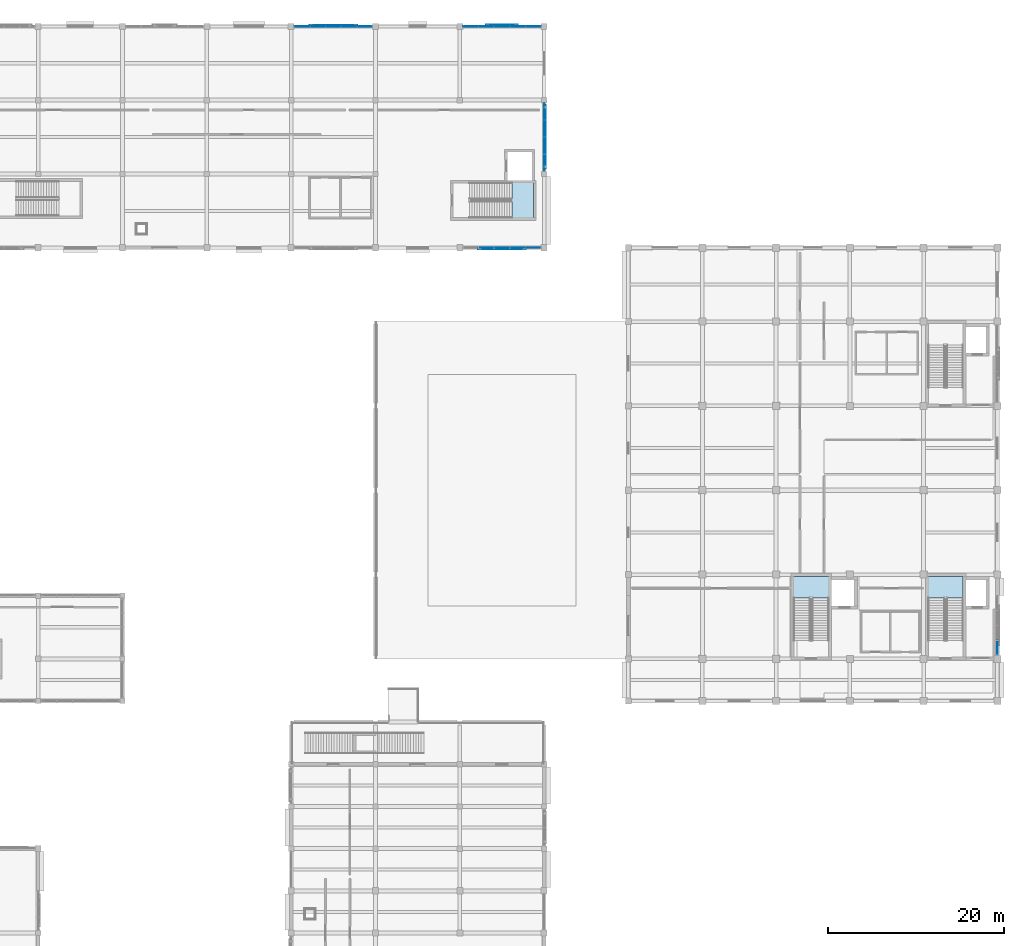
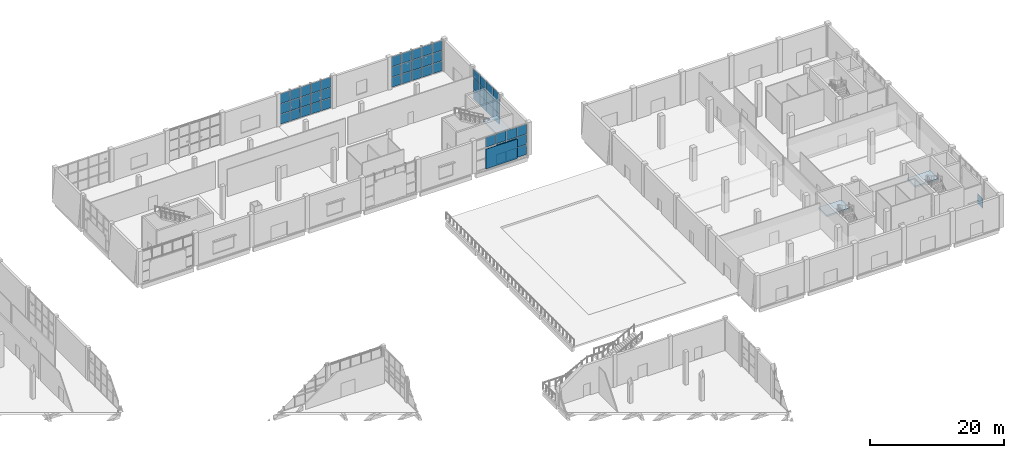
# One storey, part 50 of 84: 57 plates, 3 slabs, 8 elements without a shape of their own.
"""IFC4 building model written with IfcOpenShell, lengths in metres."""

import ifcopenshell
import ifcopenshell.guid

model = None  # the IFC model being written
_history = None  # IfcOwnerHistory: only IFC2X3 demands one
_inside = {}  # id of a spatial element -> (the spatial element, [elements in it])
_under = {}  # id of a project, library or spatial element -> (it, [spatial elements below it])
_declared = {}  # id of a project -> (the project, [libraries it declares])
_typed = {}  # id of a type object -> (the type object, [elements of that type])
_made_of = {}  # id of a material, layer set ... -> (it, [elements and type objects made of it])


def new_model(schema):
    """Start an empty IFC model of exactly this schema.

    Asked for "IFC4X3", IfcOpenShell would pick the latest addendum, in which some entities
    have other attributes; the version numbers below select the first issue.
    IFC2X3 requires an IfcOwnerHistory on every rooted entity: one is made here for all.
    """
    global model, _history
    if schema == "IFC4X3":
        model = ifcopenshell.file(schema_version=(4, 3, 0, 0))
    else:
        model = ifcopenshell.file(schema=schema)
    _inside.clear()
    _under.clear()
    _declared.clear()
    _typed.clear()
    _made_of.clear()
    _history = None
    if model.schema == "IFC2X3":
        org = make("IfcOrganization", Name="unknown")
        user = make(
            "IfcPersonAndOrganization",
            ThePerson=make("IfcPerson", FamilyName="unknown"),
            TheOrganization=org,
        )
        app = make(
            "IfcApplication",
            ApplicationDeveloper=org,
            Version="unknown",
            ApplicationFullName="unknown",
            ApplicationIdentifier="unknown",
        )
        _history = make(
            "IfcOwnerHistory",
            OwningUser=user,
            OwningApplication=app,
            ChangeAction="ADDED",
            CreationDate=0,
        )
    return model


def make(cls, **values):
    """One entity of the class cls with the attributes given. An attribute that is None is left unset."""
    return model.create_entity(
        cls, **{name: value for name, value in values.items() if value is not None}
    )


def rooted(cls, **values):
    """An entity with a GlobalId (a new one), such as an element, a storey or a relation."""
    return make(cls, GlobalId=ifcopenshell.guid.new(), OwnerHistory=_history, **values)


def si_unit(unit_type, name, prefix=None):
    """IfcSIUnit, for example si_unit("LENGTHUNIT", "METRE", prefix="MILLI")."""
    return make("IfcSIUnit", UnitType=unit_type, Prefix=prefix, Name=name)


def assignment(units):
    """IfcUnitAssignment: the units of a project."""
    return None if units is None else make("IfcUnitAssignment", Units=units)


def point(xyz):
    """IfcCartesianPoint."""
    return None if xyz is None else make("IfcCartesianPoint", Coordinates=xyz)


def direction(xyz):
    """IfcDirection."""
    return None if xyz is None else make("IfcDirection", DirectionRatios=xyz)


def frame(location, z_axis=None, x_axis=None):
    """IfcAxis2Placement3D, a coordinate frame: its origin and axes. An axis left out is left unset."""
    return make(
        "IfcAxis2Placement3D",
        Location=point(location),
        Axis=direction(z_axis),
        RefDirection=direction(x_axis),
    )


def frame_2d(location, x_axis=None):
    """IfcAxis2Placement2D, a coordinate frame in the plane: its origin and x axis."""
    return make(
        "IfcAxis2Placement2D", Location=point(location), RefDirection=direction(x_axis)
    )


def origin():
    """The frame at (0, 0, 0) with its axes left unset."""
    return frame((0.0, 0.0, 0.0))


def origin_2d():
    """The frame at (0, 0) in the plane with its x axis left unset."""
    return frame_2d((0.0, 0.0))


def place(relative_to, where):
    """IfcLocalPlacement: puts the frame where relative to a parent placement (None: the world)."""
    return make(
        "IfcLocalPlacement", PlacementRelTo=relative_to, RelativePlacement=where
    )


def context(
    kind, dimensions, precision=None, world=None, true_north=None, identifier=None
):
    """IfcGeometricRepresentationContext, for example the 3D "Model" context."""
    return make(
        "IfcGeometricRepresentationContext",
        ContextIdentifier=identifier,
        ContextType=kind,
        CoordinateSpaceDimension=dimensions,
        Precision=precision,
        WorldCoordinateSystem=world,
        TrueNorth=true_north,
    )


def subcontext(parent, identifier, kind, view, scale=None):
    """IfcGeometricRepresentationSubContext, for example "Body" below "Model"."""
    return make(
        "IfcGeometricRepresentationSubContext",
        ContextIdentifier=identifier,
        ContextType=kind,
        ParentContext=parent,
        TargetScale=scale,
        TargetView=view,
    )


def project(units=None, contexts=None):
    """IfcProject with its units and contexts."""
    return rooted(
        "IfcProject",
        Name="project",
        RepresentationContexts=contexts,
        UnitsInContext=assignment(units),
    )


def spatial(cls, under=None, at=None, **own):
    """A site, building, storey or space (cls), placed at a placement, below another one or the project."""
    s = rooted(cls, ObjectPlacement=at, **own)
    if under is not None:
        _under.setdefault(under.id(), (under, []))[1].append(s)
    return s


def polyline(points):
    """IfcPolyline through the points."""
    return make("IfcPolyline", Points=[point(p) for p in points])


def profile(cls, at=None, kind="AREA", **sizes):
    """A parametric profile (cls). Its sizes go by their IFC names, for example OverallWidth=200.0."""
    return make(cls, ProfileType=kind, Position=at, **sizes)


def rectangle(**sizes):
    """IfcRectangleProfileDef."""
    return profile("IfcRectangleProfileDef", **sizes)


def outline(outer, holes=None, kind="AREA"):
    """IfcArbitraryClosedProfileDef: a profile drawn as a closed curve; with holes, ...WithVoids."""
    if holes is None:
        return make("IfcArbitraryClosedProfileDef", ProfileType=kind, OuterCurve=outer)
    return make(
        "IfcArbitraryProfileDefWithVoids",
        ProfileType=kind,
        OuterCurve=outer,
        InnerCurves=holes,
    )


def extrude(swept, where, along, depth):
    """IfcExtrudedAreaSolid: the profile swept, set in the frame where, extruded along a direction by depth."""
    return make(
        "IfcExtrudedAreaSolid",
        SweptArea=swept,
        Position=where,
        ExtrudedDirection=direction(along),
        Depth=depth,
    )


def shape(context_of_items, identifier, shape_type, items):
    """IfcShapeRepresentation: the items that make up one representation, for example the "Body"."""
    return make(
        "IfcShapeRepresentation",
        ContextOfItems=context_of_items,
        RepresentationIdentifier=identifier,
        RepresentationType=shape_type,
        Items=items,
    )


def material(Name=None, Category=None):
    """IfcMaterial."""
    return make("IfcMaterial", Name=Name, Category=Category)


def layer(
    of_material, thickness, ventilated=None, Name=None, Category=None, Priority=None
):
    """IfcMaterialLayer: one layer of a wall or slab, of a material (None: an air gap)."""
    return make(
        "IfcMaterialLayer",
        Material=of_material,
        LayerThickness=thickness,
        IsVentilated=ventilated,
        Name=Name,
        Category=Category,
        Priority=Priority,
    )


def layer_set(layers, Name=None):
    """IfcMaterialLayerSet."""
    return make("IfcMaterialLayerSet", MaterialLayers=layers, LayerSetName=Name)


def made_of(thing, what):
    """Note that an element or type object is made of a material, layer set ...; save() writes the relation."""
    if what is not None:
        _made_of.setdefault(what.id(), (what, []))[1].append(thing)
    return thing


def type_object(cls, material=None, **own):
    """A type object (cls), such as IfcWallType, which elements share."""
    return made_of(rooted(cls, **own), material)


def element(
    cls,
    number,
    at=None,
    inside=None,
    cuts=None,
    type_object=None,
    material=None,
    context=None,
    identifier="Body",
    shape_type=None,
    held_by="IfcProductDefinitionShape",
    body=None,
    shapes=None,
    **own,
):
    """One element of the class cls, such as IfcWall. Its Tag is "e" and its number.

    at: its placement. inside: the storey or other place that contains it. cuts: it is an
    opening in that element (IfcRelVoidsElement). A single representation is given by context,
    identifier, shape_type and body (its items); several are given by shapes. held_by: the class
    of the entity that holds the representations. save() writes the other relations.
    """
    e = rooted(cls, Tag="e%d" % number, ObjectPlacement=at, **own)
    if body is not None:
        shapes = [shape(context, identifier, shape_type, body)]
    if shapes is not None:
        e.Representation = make(held_by, Representations=shapes)
    if inside is not None:
        _inside.setdefault(inside.id(), (inside, []))[1].append(e)
    if cuts is not None:
        rooted(
            "IfcRelVoidsElement", RelatingBuildingElement=cuts, RelatedOpeningElement=e
        )
    if type_object is not None:
        _typed.setdefault(type_object.id(), (type_object, []))[1].append(e)
    return made_of(e, material)


def aggregate(whole, parts):
    """IfcRelAggregates: a whole, such as a stair, and the parts it consists of."""
    return rooted("IfcRelAggregates", RelatingObject=whole, RelatedObjects=parts)


def save(model, path):
    """Write the relations noted so far, then the file.

    IfcRelAggregates (storeys below a building ...), IfcRelContainedInSpatialStructure (elements
    in a storey), IfcRelDefinesByType, IfcRelAssociatesMaterial and IfcRelDeclares: one each for
    every whole, place, type object, material and project.
    """
    for whole, parts in _under.values():
        aggregate(whole, parts)
    for where, things in _inside.values():
        rooted(
            "IfcRelContainedInSpatialStructure",
            RelatedElements=things,
            RelatingStructure=where,
        )
    for kind, things in _typed.values():
        rooted("IfcRelDefinesByType", RelatedObjects=things, RelatingType=kind)
    for what, things in _made_of.values():
        rooted("IfcRelAssociatesMaterial", RelatedObjects=things, RelatingMaterial=what)
    for by, libraries in _declared.values():
        rooted("IfcRelDeclares", RelatingContext=by, RelatedDefinitions=libraries)
    model.write(path)


model = new_model("IFC4")

# Units and contexts
model_context = context("Model", 3, precision=1e-05, world=origin(), true_north=direction((0.0, 1.0)))
body_context = subcontext(model_context, "Body", "Model", "MODEL_VIEW")
ifc_project = project(units=[si_unit("LENGTHUNIT", "METRE"), si_unit("AREAUNIT", "SQUARE_METRE"), si_unit("VOLUMEUNIT", "CUBIC_METRE"), si_unit("PLANEANGLEUNIT", "RADIAN"), si_unit("MASSUNIT", "GRAM", prefix="KILO")], contexts=[model_context])

# Site, building, storey
site_placement = place(None, origin())
site = spatial("IfcSite", under=ifc_project, at=site_placement, CompositionType="ELEMENT")
building_placement = place(site_placement, origin())
building = spatial("IfcBuilding", under=site, at=building_placement, Name="Shalvenor Court Art Gallery", CompositionType="ELEMENT")
storey_placement = place(building_placement, origin())
storey = spatial("IfcBuildingStorey", under=building, at=storey_placement, Name="L00", CompositionType="ELEMENT", Elevation=0.0)

# Curtain wall, plate
ifc_material_1 = material(Name="Anodised aluminium and low-iron glass curtain wall", Category="aluminium")
curtain_wall_type_1 = type_object("IfcCurtainWallType", Name="CW-4x3-68-57-442", PredefinedType="USERDEFINED", material=ifc_material_1)
curtain_wall_1_placement = place(storey_placement, origin())
curtain_wall_1 = element("IfcCurtainWall", 1, at=curtain_wall_1_placement, inside=storey, type_object=curtain_wall_type_1, Name="L00 V1 Curtain Wall CW-L00-002", ObjectType="CURTAIN WALL", PredefinedType="USERDEFINED")
ifc_material_2 = material(Name="Low-iron triple-silver solar gallery glazing IGU", Category="glass")
ifc_layer_1 = layer(ifc_material_2, 0.031982421875, Name="Low-iron triple-silver solar gallery glazing IGU")
ifc_layer_set_1 = layer_set([ifc_layer_1], Name="Low-iron triple-silver solar gallery glazing IGU")
plate_type_1 = type_object("IfcPlateType", Name="CWP-02", PredefinedType="CURTAIN_PANEL", material=ifc_layer_set_1)
plate_1_placement = place(storey_placement, frame((176.39990234375, 51.668701171875, 0.06982421875), z_axis=(0.0, 0.0, 1.0), x_axis=(0.0, -1.0, 0.0)))
plate_1 = element("IfcPlate", 2, at=plate_1_placement, type_object=plate_type_1, Name="CW-4x3-68-57-442 panel 4.1", PredefinedType="CURTAIN_PANEL", context=body_context, shape_type="SweptSolid", body=[
    extrude(rectangle(XDim=1.58740234375, YDim=0.031982421875, at=origin_2d()), origin(), (0.0, 0.0, 1.0), 1.788330078125),
])
aggregate(curtain_wall_1, [plate_1])

# Curtain wall, plates
ifc_material_3 = material(Name="Anodised aluminium and low-iron glass curtain wall", Category="aluminium")
curtain_wall_type_2 = type_object("IfcCurtainWallType", Name="CW-5x3-89-57-622", PredefinedType="USERDEFINED", material=ifc_material_3)
curtain_wall_2_placement = place(storey_placement, origin())
curtain_wall_2 = element("IfcCurtainWall", 3, at=curtain_wall_2_placement, inside=storey, type_object=curtain_wall_type_2, Name="L00 V2 Curtain Wall CW-L00-055", ObjectType="CURTAIN WALL", PredefinedType="USERDEFINED")
plate_2_placement = place(storey_placement, frame((97.253662109375, 122.39990234375, 0.06494140625), z_axis=(0.0, 0.0, 1.0), x_axis=(1.0, 0.0, 0.0)))
plate_2 = element("IfcPlate", 4, at=plate_2_placement, type_object=plate_type_1, Name="CW-5x3-89-57-622 panel 1.1", PredefinedType="CURTAIN_PANEL", context=body_context, shape_type="SweptSolid", body=[
    extrude(rectangle(XDim=1.697509765625, YDim=0.031982421875, at=origin_2d()), origin(), (0.0, 0.0, 1.0), 1.7958984375),
])
plate_3_placement = place(storey_placement, frame((97.253662109375, 122.39990234375, 1.92578125), z_axis=(0.0, 0.0, 1.0), x_axis=(1.0, 0.0, 0.0)))
plate_3 = element("IfcPlate", 5, at=plate_3_placement, type_object=plate_type_1, Name="CW-5x3-89-57-622 panel 1.2", PredefinedType="CURTAIN_PANEL", context=body_context, shape_type="SweptSolid", body=[
    extrude(rectangle(XDim=1.697509765625, YDim=0.031982421875, at=origin_2d()), origin(), (0.0, 0.0, 1.0), 1.828369140625),
])
plate_4_placement = place(storey_placement, frame((97.253662109375, 122.39990234375, 3.819091796875), z_axis=(0.0, 0.0, 1.0), x_axis=(1.0, 0.0, 0.0)))
plate_4 = element("IfcPlate", 6, at=plate_4_placement, type_object=plate_type_1, Name="CW-5x3-89-57-622 panel 1.3", PredefinedType="CURTAIN_PANEL", context=body_context, shape_type="SweptSolid", body=[
    extrude(rectangle(XDim=1.697509765625, YDim=0.031982421875, at=origin_2d()), origin(), (0.0, 0.0, 1.0), 1.7958984375),
])
plate_5_placement = place(storey_placement, frame((99.02001953125, 122.39990234375, 0.06494140625), z_axis=(0.0, 0.0, 1.0), x_axis=(1.0, 0.0, 0.0)))
plate_5 = element("IfcPlate", 7, at=plate_5_placement, type_object=plate_type_1, Name="CW-5x3-89-57-622 panel 2.1", PredefinedType="CURTAIN_PANEL", context=body_context, shape_type="SweptSolid", body=[
    extrude(rectangle(XDim=1.72509765625, YDim=0.031982421875, at=origin_2d()), origin(), (0.0, 0.0, 1.0), 1.7958984375),
])
plate_6_placement = place(storey_placement, frame((99.02001953125, 122.39990234375, 1.92578125), z_axis=(0.0, 0.0, 1.0), x_axis=(1.0, 0.0, 0.0)))
plate_6 = element("IfcPlate", 8, at=plate_6_placement, type_object=plate_type_1, Name="CW-5x3-89-57-622 panel 2.2", PredefinedType="CURTAIN_PANEL", context=body_context, shape_type="SweptSolid", body=[
    extrude(rectangle(XDim=1.72509765625, YDim=0.031982421875, at=origin_2d()), origin(), (0.0, 0.0, 1.0), 1.828369140625),
])
plate_7_placement = place(storey_placement, frame((99.02001953125, 122.39990234375, 3.819091796875), z_axis=(0.0, 0.0, 1.0), x_axis=(1.0, 0.0, 0.0)))
plate_7 = element("IfcPlate", 9, at=plate_7_placement, type_object=plate_type_1, Name="CW-5x3-89-57-622 panel 2.3", PredefinedType="CURTAIN_PANEL", context=body_context, shape_type="SweptSolid", body=[
    extrude(rectangle(XDim=1.72509765625, YDim=0.031982421875, at=origin_2d()), origin(), (0.0, 0.0, 1.0), 1.7958984375),
])
plate_8_placement = place(storey_placement, frame((100.800048828125, 122.39990234375, 0.06494140625), z_axis=(0.0, 0.0, 1.0), x_axis=(1.0, 0.0, 0.0)))
plate_8 = element("IfcPlate", 10, at=plate_8_placement, type_object=plate_type_1, Name="CW-5x3-89-57-622 panel 3.1", PredefinedType="CURTAIN_PANEL", context=body_context, shape_type="SweptSolid", body=[
    extrude(rectangle(XDim=1.72509765625, YDim=0.031982421875, at=origin_2d()), origin(), (0.0, 0.0, 1.0), 1.7958984375),
])
plate_9_placement = place(storey_placement, frame((100.800048828125, 122.39990234375, 1.92578125), z_axis=(0.0, 0.0, 1.0), x_axis=(1.0, 0.0, 0.0)))
plate_9 = element("IfcPlate", 11, at=plate_9_placement, type_object=plate_type_1, Name="CW-5x3-89-57-622 panel 3.2", PredefinedType="CURTAIN_PANEL", context=body_context, shape_type="SweptSolid", body=[
    extrude(rectangle(XDim=1.72509765625, YDim=0.031982421875, at=origin_2d()), origin(), (0.0, 0.0, 1.0), 1.828369140625),
])
plate_10_placement = place(storey_placement, frame((100.800048828125, 122.39990234375, 3.819091796875), z_axis=(0.0, 0.0, 1.0), x_axis=(1.0, 0.0, 0.0)))
plate_10 = element("IfcPlate", 12, at=plate_10_placement, type_object=plate_type_1, Name="CW-5x3-89-57-622 panel 3.3", PredefinedType="CURTAIN_PANEL", context=body_context, shape_type="SweptSolid", body=[
    extrude(rectangle(XDim=1.72509765625, YDim=0.031982421875, at=origin_2d()), origin(), (0.0, 0.0, 1.0), 1.7958984375),
])
plate_11_placement = place(storey_placement, frame((102.580078125, 122.39990234375, 0.06494140625), z_axis=(0.0, 0.0, 1.0), x_axis=(1.0, 0.0, 0.0)))
plate_11 = element("IfcPlate", 13, at=plate_11_placement, type_object=plate_type_1, Name="CW-5x3-89-57-622 panel 4.1", PredefinedType="CURTAIN_PANEL", context=body_context, shape_type="SweptSolid", body=[
    extrude(rectangle(XDim=1.72509765625, YDim=0.031982421875, at=origin_2d()), origin(), (0.0, 0.0, 1.0), 1.7958984375),
])
plate_12_placement = place(storey_placement, frame((102.580078125, 122.39990234375, 1.92578125), z_axis=(0.0, 0.0, 1.0), x_axis=(1.0, 0.0, 0.0)))
plate_12 = element("IfcPlate", 14, at=plate_12_placement, type_object=plate_type_1, Name="CW-5x3-89-57-622 panel 4.2", PredefinedType="CURTAIN_PANEL", context=body_context, shape_type="SweptSolid", body=[
    extrude(rectangle(XDim=1.72509765625, YDim=0.031982421875, at=origin_2d()), origin(), (0.0, 0.0, 1.0), 1.828369140625),
])
plate_13_placement = place(storey_placement, frame((102.580078125, 122.39990234375, 3.819091796875), z_axis=(0.0, 0.0, 1.0), x_axis=(1.0, 0.0, 0.0)))
plate_13 = element("IfcPlate", 15, at=plate_13_placement, type_object=plate_type_1, Name="CW-5x3-89-57-622 panel 4.3", PredefinedType="CURTAIN_PANEL", context=body_context, shape_type="SweptSolid", body=[
    extrude(rectangle(XDim=1.72509765625, YDim=0.031982421875, at=origin_2d()), origin(), (0.0, 0.0, 1.0), 1.7958984375),
])
plate_14_placement = place(storey_placement, frame((104.34619140625, 122.39990234375, 0.06494140625), z_axis=(0.0, 0.0, 1.0), x_axis=(1.0, 0.0, 0.0)))
plate_14 = element("IfcPlate", 16, at=plate_14_placement, type_object=plate_type_1, Name="CW-5x3-89-57-622 panel 5.1", PredefinedType="CURTAIN_PANEL", context=body_context, shape_type="SweptSolid", body=[
    extrude(rectangle(XDim=1.697509765625, YDim=0.031982421875, at=origin_2d()), origin(), (0.0, 0.0, 1.0), 1.7958984375),
])
plate_15_placement = place(storey_placement, frame((104.34619140625, 122.39990234375, 1.92578125), z_axis=(0.0, 0.0, 1.0), x_axis=(1.0, 0.0, 0.0)))
plate_15 = element("IfcPlate", 17, at=plate_15_placement, type_object=plate_type_1, Name="CW-5x3-89-57-622 panel 5.2", PredefinedType="CURTAIN_PANEL", context=body_context, shape_type="SweptSolid", body=[
    extrude(rectangle(XDim=1.697509765625, YDim=0.031982421875, at=origin_2d()), origin(), (0.0, 0.0, 1.0), 1.828369140625),
])
plate_16_placement = place(storey_placement, frame((104.34619140625, 122.39990234375, 3.819091796875), z_axis=(0.0, 0.0, 1.0), x_axis=(1.0, 0.0, 0.0)))
plate_16 = element("IfcPlate", 18, at=plate_16_placement, type_object=plate_type_1, Name="CW-5x3-89-57-622 panel 5.3", PredefinedType="CURTAIN_PANEL", context=body_context, shape_type="SweptSolid", body=[
    extrude(rectangle(XDim=1.697509765625, YDim=0.031982421875, at=origin_2d()), origin(), (0.0, 0.0, 1.0), 1.7958984375),
])
aggregate(curtain_wall_2, [plate_2, plate_3, plate_4, plate_5, plate_6, plate_7, plate_8, plate_9, plate_10, plate_11, plate_12, plate_13, plate_14, plate_15, plate_16])

ifc_material_4 = material(Name="Anodised aluminium and low-iron glass curtain wall", Category="aluminium")
curtain_wall_type_3 = type_object("IfcCurtainWallType", Name="CW-5x3-89-57-142", PredefinedType="USERDEFINED", material=ifc_material_4)
curtain_wall_3_placement = place(storey_placement, origin())
curtain_wall_3 = element("IfcCurtainWall", 19, at=curtain_wall_3_placement, inside=storey, type_object=curtain_wall_type_3, Name="L00 V2 Curtain Wall CW-L00-056", ObjectType="CURTAIN WALL", PredefinedType="USERDEFINED")
plate_17_placement = place(storey_placement, frame((116.456298828125, 122.39990234375, 0.06982421875), z_axis=(0.0, 0.0, 1.0), x_axis=(1.0, 0.0, 0.0)))
plate_17 = element("IfcPlate", 20, at=plate_17_placement, type_object=plate_type_1, Name="CW-5x3-89-57-142 panel 1.1", PredefinedType="CURTAIN_PANEL", context=body_context, shape_type="SweptSolid", body=[
    extrude(rectangle(XDim=1.6826171875, YDim=0.031982421875, at=origin_2d()), origin(), (0.0, 0.0, 1.0), 1.788330078125),
])
plate_18_placement = place(storey_placement, frame((116.456298828125, 122.39990234375, 1.928466796875), z_axis=(0.0, 0.0, 1.0), x_axis=(1.0, 0.0, 0.0)))
plate_18 = element("IfcPlate", 21, at=plate_18_placement, type_object=plate_type_1, Name="CW-5x3-89-57-142 panel 1.2", PredefinedType="CURTAIN_PANEL", context=body_context, shape_type="SweptSolid", body=[
    extrude(rectangle(XDim=1.6826171875, YDim=0.031982421875, at=origin_2d()), origin(), (0.0, 0.0, 1.0), 1.8232421875),
])
plate_19_placement = place(storey_placement, frame((116.456298828125, 122.39990234375, 3.82177734375), z_axis=(0.0, 0.0, 1.0), x_axis=(1.0, 0.0, 0.0)))
plate_19 = element("IfcPlate", 22, at=plate_19_placement, type_object=plate_type_1, Name="CW-5x3-89-57-142 panel 1.3", PredefinedType="CURTAIN_PANEL", context=body_context, shape_type="SweptSolid", body=[
    extrude(rectangle(XDim=1.6826171875, YDim=0.031982421875, at=origin_2d()), origin(), (0.0, 0.0, 1.0), 1.788330078125),
])
plate_20_placement = place(storey_placement, frame((118.219970703125, 122.39990234375, 0.06982421875), z_axis=(0.0, 0.0, 1.0), x_axis=(1.0, 0.0, 0.0)))
plate_20 = element("IfcPlate", 23, at=plate_20_placement, type_object=plate_type_1, Name="CW-5x3-89-57-142 panel 2.1", PredefinedType="CURTAIN_PANEL", context=body_context, shape_type="SweptSolid", body=[
    extrude(rectangle(XDim=1.715087890625, YDim=0.031982421875, at=origin_2d()), origin(), (0.0, 0.0, 1.0), 1.788330078125),
])
plate_21_placement = place(storey_placement, frame((118.219970703125, 122.39990234375, 1.928466796875), z_axis=(0.0, 0.0, 1.0), x_axis=(1.0, 0.0, 0.0)))
plate_21 = element("IfcPlate", 24, at=plate_21_placement, type_object=plate_type_1, Name="CW-5x3-89-57-142 panel 2.2", PredefinedType="CURTAIN_PANEL", context=body_context, shape_type="SweptSolid", body=[
    extrude(rectangle(XDim=1.715087890625, YDim=0.031982421875, at=origin_2d()), origin(), (0.0, 0.0, 1.0), 1.8232421875),
])
plate_22_placement = place(storey_placement, frame((118.219970703125, 122.39990234375, 3.82177734375), z_axis=(0.0, 0.0, 1.0), x_axis=(1.0, 0.0, 0.0)))
plate_22 = element("IfcPlate", 25, at=plate_22_placement, type_object=plate_type_1, Name="CW-5x3-89-57-142 panel 2.3", PredefinedType="CURTAIN_PANEL", context=body_context, shape_type="SweptSolid", body=[
    extrude(rectangle(XDim=1.715087890625, YDim=0.031982421875, at=origin_2d()), origin(), (0.0, 0.0, 1.0), 1.788330078125),
])
plate_23_placement = place(storey_placement, frame((120.0, 122.39990234375, 0.06982421875), z_axis=(0.0, 0.0, 1.0), x_axis=(1.0, 0.0, 0.0)))
plate_23 = element("IfcPlate", 26, at=plate_23_placement, type_object=plate_type_1, Name="CW-5x3-89-57-142 panel 3.1", PredefinedType="CURTAIN_PANEL", context=body_context, shape_type="SweptSolid", body=[
    extrude(rectangle(XDim=1.715087890625, YDim=0.031982421875, at=origin_2d()), origin(), (0.0, 0.0, 1.0), 1.788330078125),
])
plate_24_placement = place(storey_placement, frame((120.0, 122.39990234375, 1.928466796875), z_axis=(0.0, 0.0, 1.0), x_axis=(1.0, 0.0, 0.0)))
plate_24 = element("IfcPlate", 27, at=plate_24_placement, type_object=plate_type_1, Name="CW-5x3-89-57-142 panel 3.2", PredefinedType="CURTAIN_PANEL", context=body_context, shape_type="SweptSolid", body=[
    extrude(rectangle(XDim=1.715087890625, YDim=0.031982421875, at=origin_2d()), origin(), (0.0, 0.0, 1.0), 1.8232421875),
])
plate_25_placement = place(storey_placement, frame((120.0, 122.39990234375, 3.82177734375), z_axis=(0.0, 0.0, 1.0), x_axis=(1.0, 0.0, 0.0)))
plate_25 = element("IfcPlate", 28, at=plate_25_placement, type_object=plate_type_1, Name="CW-5x3-89-57-142 panel 3.3", PredefinedType="CURTAIN_PANEL", context=body_context, shape_type="SweptSolid", body=[
    extrude(rectangle(XDim=1.715087890625, YDim=0.031982421875, at=origin_2d()), origin(), (0.0, 0.0, 1.0), 1.788330078125),
])
plate_26_placement = place(storey_placement, frame((121.780029296875, 122.39990234375, 0.06982421875), z_axis=(0.0, 0.0, 1.0), x_axis=(1.0, 0.0, 0.0)))
plate_26 = element("IfcPlate", 29, at=plate_26_placement, type_object=plate_type_1, Name="CW-5x3-89-57-142 panel 4.1", PredefinedType="CURTAIN_PANEL", context=body_context, shape_type="SweptSolid", body=[
    extrude(rectangle(XDim=1.715087890625, YDim=0.031982421875, at=origin_2d()), origin(), (0.0, 0.0, 1.0), 1.788330078125),
])
plate_27_placement = place(storey_placement, frame((121.780029296875, 122.39990234375, 1.928466796875), z_axis=(0.0, 0.0, 1.0), x_axis=(1.0, 0.0, 0.0)))
plate_27 = element("IfcPlate", 30, at=plate_27_placement, type_object=plate_type_1, Name="CW-5x3-89-57-142 panel 4.2", PredefinedType="CURTAIN_PANEL", context=body_context, shape_type="SweptSolid", body=[
    extrude(rectangle(XDim=1.715087890625, YDim=0.031982421875, at=origin_2d()), origin(), (0.0, 0.0, 1.0), 1.8232421875),
])
plate_28_placement = place(storey_placement, frame((121.780029296875, 122.39990234375, 3.82177734375), z_axis=(0.0, 0.0, 1.0), x_axis=(1.0, 0.0, 0.0)))
plate_28 = element("IfcPlate", 31, at=plate_28_placement, type_object=plate_type_1, Name="CW-5x3-89-57-142 panel 4.3", PredefinedType="CURTAIN_PANEL", context=body_context, shape_type="SweptSolid", body=[
    extrude(rectangle(XDim=1.715087890625, YDim=0.031982421875, at=origin_2d()), origin(), (0.0, 0.0, 1.0), 1.788330078125),
])
plate_29_placement = place(storey_placement, frame((123.543701171875, 122.39990234375, 0.06982421875), z_axis=(0.0, 0.0, 1.0), x_axis=(1.0, 0.0, 0.0)))
plate_29 = element("IfcPlate", 32, at=plate_29_placement, type_object=plate_type_1, Name="CW-5x3-89-57-142 panel 5.1", PredefinedType="CURTAIN_PANEL", context=body_context, shape_type="SweptSolid", body=[
    extrude(rectangle(XDim=1.6826171875, YDim=0.031982421875, at=origin_2d()), origin(), (0.0, 0.0, 1.0), 1.788330078125),
])
plate_30_placement = place(storey_placement, frame((123.543701171875, 122.39990234375, 1.928466796875), z_axis=(0.0, 0.0, 1.0), x_axis=(1.0, 0.0, 0.0)))
plate_30 = element("IfcPlate", 33, at=plate_30_placement, type_object=plate_type_1, Name="CW-5x3-89-57-142 panel 5.2", PredefinedType="CURTAIN_PANEL", context=body_context, shape_type="SweptSolid", body=[
    extrude(rectangle(XDim=1.6826171875, YDim=0.031982421875, at=origin_2d()), origin(), (0.0, 0.0, 1.0), 1.8232421875),
])
plate_31_placement = place(storey_placement, frame((123.543701171875, 122.39990234375, 3.82177734375), z_axis=(0.0, 0.0, 1.0), x_axis=(1.0, 0.0, 0.0)))
plate_31 = element("IfcPlate", 34, at=plate_31_placement, type_object=plate_type_1, Name="CW-5x3-89-57-142 panel 5.3", PredefinedType="CURTAIN_PANEL", context=body_context, shape_type="SweptSolid", body=[
    extrude(rectangle(XDim=1.6826171875, YDim=0.031982421875, at=origin_2d()), origin(), (0.0, 0.0, 1.0), 1.788330078125),
])
aggregate(curtain_wall_3, [plate_17, plate_18, plate_19, plate_20, plate_21, plate_22, plate_23, plate_24, plate_25, plate_26, plate_27, plate_28, plate_29, plate_30, plate_31])

ifc_material_5 = material(Name="Anodised aluminium and low-iron glass curtain wall", Category="aluminium")
curtain_wall_type_4 = type_object("IfcCurtainWallType", Name="CW-4x3-78-57-212", PredefinedType="USERDEFINED", material=ifc_material_5)
curtain_wall_4_placement = place(storey_placement, origin())
curtain_wall_4 = element("IfcCurtainWall", 35, at=curtain_wall_4_placement, inside=storey, type_object=curtain_wall_type_4, Name="L00 V2 Curtain Wall CW-L00-057", ObjectType="CURTAIN WALL", PredefinedType="USERDEFINED")
plate_32_placement = place(storey_placement, frame((124.800048828125, 112.70751953125, 0.06005859375), z_axis=(0.0, 0.0, 1.0), x_axis=(0.0, -1.0, 0.0)))
plate_32 = element("IfcPlate", 36, at=plate_32_placement, type_object=plate_type_1, Name="CW-4x3-78-57-212 panel 1.1", PredefinedType="CURTAIN_PANEL", context=body_context, shape_type="SweptSolid", body=[
    extrude(rectangle(XDim=1.844970703125, YDim=0.031982421875, at=origin_2d()), origin(), (0.0, 0.0, 1.0), 1.80322265625),
])
plate_33_placement = place(storey_placement, frame((124.800048828125, 112.70751953125, 1.92333984375), z_axis=(0.0, 0.0, 1.0), x_axis=(0.0, -1.0, 0.0)))
plate_33 = element("IfcPlate", 37, at=plate_33_placement, type_object=plate_type_1, Name="CW-4x3-78-57-212 panel 1.2", PredefinedType="CURTAIN_PANEL", context=body_context, shape_type="SweptSolid", body=[
    extrude(rectangle(XDim=1.844970703125, YDim=0.031982421875, at=origin_2d()), origin(), (0.0, 0.0, 1.0), 1.833251953125),
])
plate_34_placement = place(storey_placement, frame((124.800048828125, 112.70751953125, 3.816650390625), z_axis=(0.0, 0.0, 1.0), x_axis=(0.0, -1.0, 0.0)))
plate_34 = element("IfcPlate", 38, at=plate_34_placement, type_object=plate_type_1, Name="CW-4x3-78-57-212 panel 1.3", PredefinedType="CURTAIN_PANEL", context=body_context, shape_type="SweptSolid", body=[
    extrude(rectangle(XDim=1.844970703125, YDim=0.031982421875, at=origin_2d()), origin(), (0.0, 0.0, 1.0), 1.80322265625),
])
plate_35_placement = place(storey_placement, frame((124.800048828125, 110.77490234375, 0.06005859375), z_axis=(0.0, 0.0, 1.0), x_axis=(0.0, -1.0, 0.0)))
plate_35 = element("IfcPlate", 39, at=plate_35_placement, type_object=plate_type_1, Name="CW-4x3-78-57-212 panel 2.1", PredefinedType="CURTAIN_PANEL", context=body_context, shape_type="SweptSolid", body=[
    extrude(rectangle(XDim=1.8798828125, YDim=0.031982421875, at=origin_2d()), origin(), (0.0, 0.0, 1.0), 1.80322265625),
])
plate_36_placement = place(storey_placement, frame((124.800048828125, 110.77490234375, 1.92333984375), z_axis=(0.0, 0.0, 1.0), x_axis=(0.0, -1.0, 0.0)))
plate_36 = element("IfcPlate", 40, at=plate_36_placement, type_object=plate_type_1, Name="CW-4x3-78-57-212 panel 2.2", PredefinedType="CURTAIN_PANEL", context=body_context, shape_type="SweptSolid", body=[
    extrude(rectangle(XDim=1.8798828125, YDim=0.031982421875, at=origin_2d()), origin(), (0.0, 0.0, 1.0), 1.833251953125),
])
plate_37_placement = place(storey_placement, frame((124.800048828125, 110.77490234375, 3.816650390625), z_axis=(0.0, 0.0, 1.0), x_axis=(0.0, -1.0, 0.0)))
plate_37 = element("IfcPlate", 41, at=plate_37_placement, type_object=plate_type_1, Name="CW-4x3-78-57-212 panel 2.3", PredefinedType="CURTAIN_PANEL", context=body_context, shape_type="SweptSolid", body=[
    extrude(rectangle(XDim=1.8798828125, YDim=0.031982421875, at=origin_2d()), origin(), (0.0, 0.0, 1.0), 1.80322265625),
])
plate_38_placement = place(storey_placement, frame((124.800048828125, 108.824951171875, 0.06005859375), z_axis=(0.0, 0.0, 1.0), x_axis=(0.0, -1.0, 0.0)))
plate_38 = element("IfcPlate", 42, at=plate_38_placement, type_object=plate_type_1, Name="CW-4x3-78-57-212 panel 3.1", PredefinedType="CURTAIN_PANEL", context=body_context, shape_type="SweptSolid", body=[
    extrude(rectangle(XDim=1.8798828125, YDim=0.031982421875, at=origin_2d()), origin(), (0.0, 0.0, 1.0), 1.80322265625),
])
plate_39_placement = place(storey_placement, frame((124.800048828125, 108.824951171875, 1.92333984375), z_axis=(0.0, 0.0, 1.0), x_axis=(0.0, -1.0, 0.0)))
plate_39 = element("IfcPlate", 43, at=plate_39_placement, type_object=plate_type_1, Name="CW-4x3-78-57-212 panel 3.2", PredefinedType="CURTAIN_PANEL", context=body_context, shape_type="SweptSolid", body=[
    extrude(rectangle(XDim=1.8798828125, YDim=0.031982421875, at=origin_2d()), origin(), (0.0, 0.0, 1.0), 1.833251953125),
])
plate_40_placement = place(storey_placement, frame((124.800048828125, 108.824951171875, 3.816650390625), z_axis=(0.0, 0.0, 1.0), x_axis=(0.0, -1.0, 0.0)))
plate_40 = element("IfcPlate", 44, at=plate_40_placement, type_object=plate_type_1, Name="CW-4x3-78-57-212 panel 3.3", PredefinedType="CURTAIN_PANEL", context=body_context, shape_type="SweptSolid", body=[
    extrude(rectangle(XDim=1.8798828125, YDim=0.031982421875, at=origin_2d()), origin(), (0.0, 0.0, 1.0), 1.80322265625),
])
plate_41_placement = place(storey_placement, frame((124.800048828125, 106.892578125, 0.06005859375), z_axis=(0.0, 0.0, 1.0), x_axis=(0.0, -1.0, 0.0)))
plate_41 = element("IfcPlate", 45, at=plate_41_placement, type_object=plate_type_1, Name="CW-4x3-78-57-212 panel 4.1", PredefinedType="CURTAIN_PANEL", context=body_context, shape_type="SweptSolid", body=[
    extrude(rectangle(XDim=1.844970703125, YDim=0.031982421875, at=origin_2d()), origin(), (0.0, 0.0, 1.0), 1.80322265625),
])
plate_42_placement = place(storey_placement, frame((124.800048828125, 106.892578125, 1.92333984375), z_axis=(0.0, 0.0, 1.0), x_axis=(0.0, -1.0, 0.0)))
plate_42 = element("IfcPlate", 46, at=plate_42_placement, type_object=plate_type_1, Name="CW-4x3-78-57-212 panel 4.2", PredefinedType="CURTAIN_PANEL", context=body_context, shape_type="SweptSolid", body=[
    extrude(rectangle(XDim=1.844970703125, YDim=0.031982421875, at=origin_2d()), origin(), (0.0, 0.0, 1.0), 1.833251953125),
])
plate_43_placement = place(storey_placement, frame((124.800048828125, 106.892578125, 3.816650390625), z_axis=(0.0, 0.0, 1.0), x_axis=(0.0, -1.0, 0.0)))
plate_43 = element("IfcPlate", 47, at=plate_43_placement, type_object=plate_type_1, Name="CW-4x3-78-57-212 panel 4.3", PredefinedType="CURTAIN_PANEL", context=body_context, shape_type="SweptSolid", body=[
    extrude(rectangle(XDim=1.844970703125, YDim=0.031982421875, at=origin_2d()), origin(), (0.0, 0.0, 1.0), 1.80322265625),
])
aggregate(curtain_wall_4, [plate_32, plate_33, plate_34, plate_35, plate_36, plate_37, plate_38, plate_39, plate_40, plate_41, plate_42, plate_43])

ifc_material_6 = material(Name="Anodised aluminium and low-iron glass curtain wall", Category="aluminium")
curtain_wall_type_5 = type_object("IfcCurtainWallType", Name="CW-5x3-89-57-422", PredefinedType="USERDEFINED", material=ifc_material_6)
curtain_wall_5_placement = place(storey_placement, origin())
curtain_wall_5 = element("IfcCurtainWall", 48, at=curtain_wall_5_placement, inside=storey, type_object=curtain_wall_type_5, Name="L00 V2 Curtain Wall CW-L00-058", ObjectType="CURTAIN WALL", PredefinedType="USERDEFINED")
plate_44_placement = place(storey_placement, frame((123.541259765625, 97.199951171875, 0.06494140625), z_axis=(0.0, 0.0, 1.0), x_axis=(-1.0, 0.0, 0.0)))
plate_44 = element("IfcPlate", 49, at=plate_44_placement, type_object=plate_type_1, Name="CW-5x3-89-57-422 panel 1.1", PredefinedType="CURTAIN_PANEL", context=body_context, shape_type="SweptSolid", body=[
    extrude(rectangle(XDim=1.66748046875, YDim=0.031982421875, at=origin_2d()), origin(), (0.0, 0.0, 1.0), 1.7958984375),
])
plate_45_placement = place(storey_placement, frame((123.541259765625, 97.199951171875, 1.92578125), z_axis=(0.0, 0.0, 1.0), x_axis=(-1.0, 0.0, 0.0)))
plate_45 = element("IfcPlate", 50, at=plate_45_placement, type_object=plate_type_1, Name="CW-5x3-89-57-422 panel 1.2", PredefinedType="CURTAIN_PANEL", context=body_context, shape_type="SweptSolid", body=[
    extrude(rectangle(XDim=1.66748046875, YDim=0.031982421875, at=origin_2d()), origin(), (0.0, 0.0, 1.0), 1.828369140625),
])
plate_46_placement = place(storey_placement, frame((123.541259765625, 97.199951171875, 3.819091796875), z_axis=(0.0, 0.0, 1.0), x_axis=(-1.0, 0.0, 0.0)))
plate_46 = element("IfcPlate", 51, at=plate_46_placement, type_object=plate_type_1, Name="CW-5x3-89-57-422 panel 1.3", PredefinedType="CURTAIN_PANEL", context=body_context, shape_type="SweptSolid", body=[
    extrude(rectangle(XDim=1.66748046875, YDim=0.031982421875, at=origin_2d()), origin(), (0.0, 0.0, 1.0), 1.7958984375),
])
plate_47_placement = place(storey_placement, frame((121.780029296875, 97.199951171875, 0.06494140625), z_axis=(0.0, 0.0, 1.0), x_axis=(-1.0, 0.0, 0.0)))
plate_47 = element("IfcPlate", 52, at=plate_47_placement, type_object=plate_type_1, Name="CW-5x3-89-57-422 panel 2.1", PredefinedType="CURTAIN_PANEL", context=body_context, shape_type="SweptSolid", body=[
    extrude(rectangle(XDim=1.705078125, YDim=0.031982421875, at=origin_2d()), origin(), (0.0, 0.0, 1.0), 1.7958984375),
])
plate_48_placement = place(storey_placement, frame((121.780029296875, 97.199951171875, 1.92578125), z_axis=(0.0, 0.0, 1.0), x_axis=(-1.0, 0.0, 0.0)))
plate_48 = element("IfcPlate", 53, at=plate_48_placement, type_object=plate_type_1, Name="CW-5x3-89-57-422 panel 2.2", PredefinedType="CURTAIN_PANEL", context=body_context, shape_type="SweptSolid", body=[
    extrude(rectangle(XDim=1.705078125, YDim=0.031982421875, at=origin_2d()), origin(), (0.0, 0.0, 1.0), 1.828369140625),
])
plate_49_placement = place(storey_placement, frame((121.780029296875, 97.199951171875, 3.819091796875), z_axis=(0.0, 0.0, 1.0), x_axis=(-1.0, 0.0, 0.0)))
plate_49 = element("IfcPlate", 54, at=plate_49_placement, type_object=plate_type_1, Name="CW-5x3-89-57-422 panel 2.3", PredefinedType="CURTAIN_PANEL", context=body_context, shape_type="SweptSolid", body=[
    extrude(rectangle(XDim=1.705078125, YDim=0.031982421875, at=origin_2d()), origin(), (0.0, 0.0, 1.0), 1.7958984375),
])
plate_50_placement = place(storey_placement, frame((120.0, 97.199951171875, 0.06494140625), z_axis=(0.0, 0.0, 1.0), x_axis=(-1.0, 0.0, 0.0)))
plate_50 = element("IfcPlate", 55, at=plate_50_placement, type_object=plate_type_1, Name="CW-5x3-89-57-422 panel 3.1", PredefinedType="CURTAIN_PANEL", context=body_context, shape_type="SweptSolid", body=[
    extrude(rectangle(XDim=1.705078125, YDim=0.031982421875, at=origin_2d()), origin(), (0.0, 0.0, 1.0), 1.7958984375),
])
plate_51_placement = place(storey_placement, frame((120.0, 97.199951171875, 1.92578125), z_axis=(0.0, 0.0, 1.0), x_axis=(-1.0, 0.0, 0.0)))
plate_51 = element("IfcPlate", 56, at=plate_51_placement, type_object=plate_type_1, Name="CW-5x3-89-57-422 panel 3.2", PredefinedType="CURTAIN_PANEL", context=body_context, shape_type="SweptSolid", body=[
    extrude(rectangle(XDim=1.705078125, YDim=0.031982421875, at=origin_2d()), origin(), (0.0, 0.0, 1.0), 1.828369140625),
])
plate_52_placement = place(storey_placement, frame((120.0, 97.199951171875, 3.819091796875), z_axis=(0.0, 0.0, 1.0), x_axis=(-1.0, 0.0, 0.0)))
plate_52 = element("IfcPlate", 57, at=plate_52_placement, type_object=plate_type_1, Name="CW-5x3-89-57-422 panel 3.3", PredefinedType="CURTAIN_PANEL", context=body_context, shape_type="SweptSolid", body=[
    extrude(rectangle(XDim=1.705078125, YDim=0.031982421875, at=origin_2d()), origin(), (0.0, 0.0, 1.0), 1.7958984375),
])
plate_53_placement = place(storey_placement, frame((118.219970703125, 97.199951171875, 3.819091796875), z_axis=(0.0, 0.0, 1.0), x_axis=(-1.0, 0.0, 0.0)))
plate_53 = element("IfcPlate", 58, at=plate_53_placement, type_object=plate_type_1, Name="CW-5x3-89-57-422 panel 4.3", PredefinedType="CURTAIN_PANEL", context=body_context, shape_type="SweptSolid", body=[
    extrude(rectangle(XDim=1.705078125, YDim=0.031982421875, at=origin_2d()), origin(), (0.0, 0.0, 1.0), 1.7958984375),
])
aggregate(curtain_wall_5, [plate_44, plate_45, plate_46, plate_47, plate_48, plate_49, plate_50, plate_51, plate_52, plate_53])

# Plates
ifc_material_7 = material(Name="Perforated pale limestone GRC lattice", Category="masonry")
ifc_layer_2 = layer(ifc_material_7, 0.090087890625, Name="Perforated pale limestone GRC lattice")
ifc_layer_set_2 = layer_set([ifc_layer_2], Name="Perforated pale limestone GRC lattice")
plate_type_2 = type_object("IfcPlateType", Name="SCR-01", PredefinedType="USERDEFINED", material=ifc_layer_set_2)
plate_54_placement = place(storey_placement, frame((120.0, 122.532958984375, 0.0), z_axis=(0.0, 0.0, 1.0), x_axis=(1.0, 0.0, 0.0)))
element("IfcPlate", 59, at=plate_54_placement, inside=storey, type_object=plate_type_2, Name="L00 V2 Perforated Stone Lattice Screen PLT-SCR-0043", ObjectType="SCREEN", PredefinedType="USERDEFINED", context=body_context, shape_type="SweptSolid", body=[
    extrude(rectangle(XDim=3.60009765625, YDim=0.090087890625, at=origin_2d()), origin(), (0.0, 0.0, 1.0), 3.60009765625),
])
ifc_material_8 = material(Name="Perforated pale limestone GRC lattice", Category="masonry")
ifc_layer_3 = layer(ifc_material_8, 0.090087890625, Name="Perforated pale limestone GRC lattice")
ifc_layer_set_3 = layer_set([ifc_layer_3], Name="Perforated pale limestone GRC lattice")
plate_type_3 = type_object("IfcPlateType", Name="SCR-03", PredefinedType="USERDEFINED", material=ifc_layer_set_3)
plate_55_placement = place(storey_placement, frame((120.0, 97.047119140625, 0.0), z_axis=(0.0, 0.0, 1.0), x_axis=(-1.0, 0.0, 0.0)))
element("IfcPlate", 60, at=plate_55_placement, inside=storey, type_object=plate_type_3, Name="L00 V2 Perforated Stone Lattice Screen PLT-SCR-0045", ObjectType="SCREEN", PredefinedType="USERDEFINED", context=body_context, shape_type="SweptSolid", body=[
    extrude(rectangle(XDim=5.39990234375, YDim=0.090087890625, at=origin_2d()), origin(), (0.0, 0.0, 1.0), 3.60009765625),
])
ifc_material_9 = material(Name="Perforated pale limestone GRC lattice", Category="masonry")
ifc_layer_4 = layer(ifc_material_9, 0.090087890625, Name="Perforated pale limestone GRC lattice")
ifc_layer_set_4 = layer_set([ifc_layer_4], Name="Perforated pale limestone GRC lattice")
plate_type_4 = type_object("IfcPlateType", Name="SCR-08", PredefinedType="USERDEFINED", material=ifc_layer_set_4)
plate_56_placement = place(storey_placement, frame((124.943115234375, 109.800048828125, 0.0), z_axis=(0.0, 0.0, 1.0), x_axis=(0.0, -1.0, 0.0)))
element("IfcPlate", 61, at=plate_56_placement, inside=storey, type_object=plate_type_4, Name="L00 V2 Perforated Stone Lattice Screen PLT-SCR-0044", ObjectType="SCREEN", PredefinedType="USERDEFINED", context=body_context, shape_type="SweptSolid", body=[
    extrude(rectangle(XDim=7.199951171875, YDim=0.090087890625, at=origin_2d()), origin(), (0.0, 0.0, 1.0), 4.5),
])
ifc_material_10 = material(Name="Perforated pale limestone GRC lattice", Category="masonry")
ifc_layer_5 = layer(ifc_material_10, 0.0849609375, Name="Perforated pale limestone GRC lattice")
ifc_layer_set_5 = layer_set([ifc_layer_5], Name="Perforated pale limestone GRC lattice")
plate_type_5 = type_object("IfcPlateType", Name="SCR-14", PredefinedType="USERDEFINED", material=ifc_layer_set_5)
plate_57_placement = place(storey_placement, frame((100.800048828125, 122.510498046875, 0.0), z_axis=(0.0, 0.0, 1.0), x_axis=(1.0, 0.0, 0.0)))
element("IfcPlate", 62, at=plate_57_placement, inside=storey, type_object=plate_type_5, Name="L00 V2 Perforated Stone Lattice Screen PLT-SCR-0042", ObjectType="SCREEN", PredefinedType="USERDEFINED", context=body_context, shape_type="SweptSolid", body=[
    extrude(rectangle(XDim=5.39990234375, YDim=0.0849609375, at=origin_2d()), origin(), (0.0, 0.0, 1.0), 2.699951171875),
])

# Stair, slab
ifc_material_11 = material(Name="Concrete C40/50", Category="concrete")
stair_type = type_object("IfcStairType", Name="ST-DL-36R-1900", PredefinedType="HALF_TURN_STAIR", material=ifc_material_11)
stair_1_placement = place(storey_placement, origin())
stair_1 = element("IfcStair", 63, at=stair_1_placement, inside=storey, type_object=stair_type, Name="L00 Core Dogleg Stair ST-02", PredefinedType="HALF_TURN_STAIR")
ifc_material_12 = material(Name="Concrete C40/50", Category="concrete")
ifc_layer_6 = layer(ifc_material_12, 0.300048828125, Name="Concrete C40/50")
ifc_layer_set_6 = layer_set([ifc_layer_6], Name="Concrete C40/50")
slab_type = type_object("IfcSlabType", Name="SLD-300", PredefinedType="LANDING", material=ifc_layer_set_6)
slab_1_placement = place(storey_placement, frame((0.0, 0.0, 2.699951171875)))
slab_1 = element("IfcSlab", 64, at=slab_1_placement, type_object=slab_type, Name="ST-DL-36R-1900 landing 1", PredefinedType="LANDING", context=body_context, shape_type="SweptSolid", body=[
    extrude(outline(polyline([(172.5, 57.344970703125), (172.5, 59.800048828125), (168.5, 59.800048828125), (168.5, 57.344970703125), (172.5, 57.344970703125)])), origin(), (0.0, 0.0, 1.0), 0.300048828125),
])
aggregate(stair_1, [slab_1])

stair_2_placement = place(storey_placement, origin())
stair_2 = element("IfcStair", 65, at=stair_2_placement, inside=storey, type_object=stair_type, Name="L00 Core Dogleg Stair ST-03", PredefinedType="HALF_TURN_STAIR")
slab_2_placement = place(storey_placement, frame((0.0, 0.0, 2.699951171875)))
slab_2 = element("IfcSlab", 66, at=slab_2_placement, type_object=slab_type, Name="ST-DL-36R-1900 landing 1", PredefinedType="LANDING", context=body_context, shape_type="SweptSolid", body=[
    extrude(outline(polyline([(157.199951171875, 57.344970703125), (157.199951171875, 59.800048828125), (153.199951171875, 59.800048828125), (153.199951171875, 57.344970703125), (157.199951171875, 57.344970703125)])), origin(), (0.0, 0.0, 1.0), 0.300048828125),
])
aggregate(stair_2, [slab_2])

stair_3_placement = place(storey_placement, origin())
stair_3 = element("IfcStair", 67, at=stair_3_placement, inside=storey, type_object=stair_type, Name="L00 Core Dogleg Stair ST-05", PredefinedType="HALF_TURN_STAIR")
slab_3_placement = place(storey_placement, frame((0.0, 0.0, 2.699951171875)))
slab_3 = element("IfcSlab", 68, at=slab_3_placement, type_object=slab_type, Name="ST-DL-36R-1900 landing 1", PredefinedType="LANDING", context=body_context, shape_type="SweptSolid", body=[
    extrude(outline(polyline([(121.14501953125, 100.60009765625), (123.60009765625, 100.60009765625), (123.60009765625, 104.60009765625), (121.14501953125, 104.60009765625), (121.14501953125, 100.60009765625)])), origin(), (0.0, 0.0, 1.0), 0.300048828125),
])
aggregate(stair_3, [slab_3])

save(model, "model.ifc")
